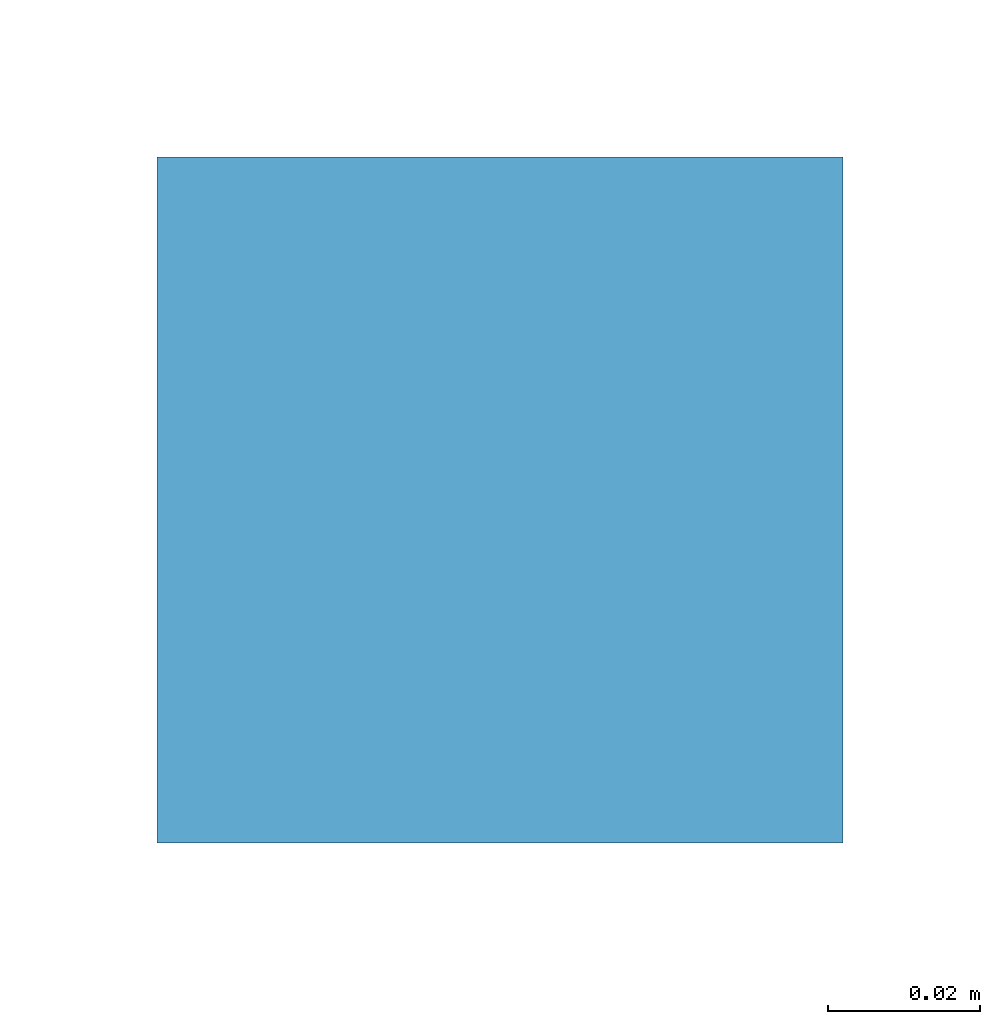
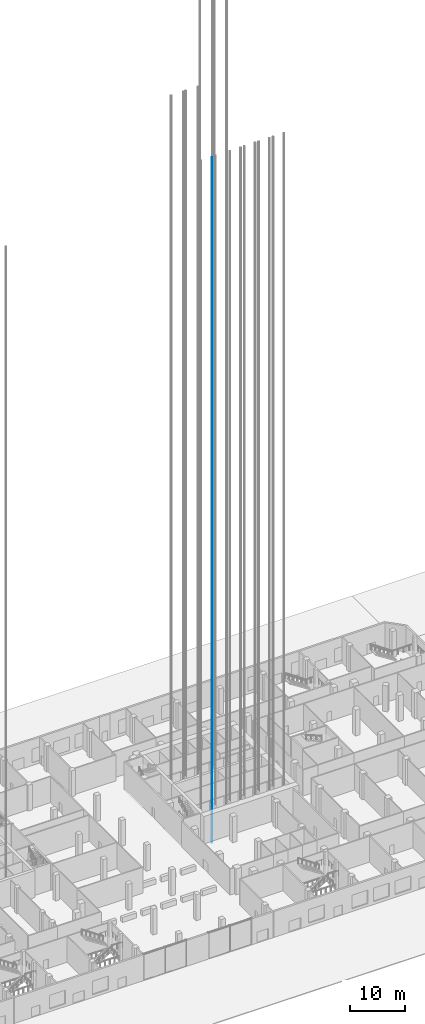
# One storey, part 13 of 55: 1 member.
"""IFC4 building model written with IfcOpenShell, lengths in metres."""

from ifc_helpers import new_model, si_unit, direction, frame, origin, origin_2d, place, context, subcontext, project, spatial, rectangle, extrude, material, material_profile, profile_set, type_object, element, save


model = new_model("IFC4")

# Units and contexts
model_context = context("Model", 3, precision=1e-05, world=origin(), true_north=direction((0.0, 1.0)))
body_context = subcontext(model_context, "Body", "Model", "MODEL_VIEW")
ifc_project = project(units=[si_unit("LENGTHUNIT", "METRE"), si_unit("AREAUNIT", "SQUARE_METRE"), si_unit("VOLUMEUNIT", "CUBIC_METRE"), si_unit("PLANEANGLEUNIT", "RADIAN"), si_unit("MASSUNIT", "GRAM", prefix="KILO")], contexts=[model_context])

# Site, building, storey
site_placement = place(None, origin())
site = spatial("IfcSite", under=ifc_project, at=site_placement, CompositionType="ELEMENT")
building_placement = place(site_placement, origin())
building = spatial("IfcBuilding", under=site, at=building_placement, Name="Cinnabar Reach Civic Tower", CompositionType="ELEMENT")
storey_placement = place(building_placement, origin())
storey = spatial("IfcBuildingStorey", under=building, at=storey_placement, Name="L00", CompositionType="ELEMENT", Elevation=0.0)

# Member
ifc_material = material(Name="Steel Q355B", Category="steel")
ifc_material_profile = material_profile(ifc_material, rectangle(XDim=0.09, YDim=0.09, at=origin_2d()), Name="T1 lift guide rail")
ifc_profile_set = profile_set([ifc_material_profile], Name="Steel Q355B")
member_type = type_object("IfcMemberType", Name="T1 lift guide rail", PredefinedType="USERDEFINED", material=ifc_profile_set)
member_placement = place(storey_placement, frame((7.13, 22.5, -2.5), z_axis=(0.0, 0.0, 1.0), x_axis=(1.0, 0.0, 0.0)))
element("IfcMember", 1, at=member_placement, inside=storey, type_object=member_type, Name="T1-LR1 guide rail 2", ObjectType="GUIDE RAIL", PredefinedType="USERDEFINED", context=body_context, shape_type="SweptSolid", body=[
    extrude(rectangle(XDim=0.09, YDim=0.09, at=origin_2d()), origin(), (0.0, 0.0, 1.0), 150.9),
])

save(model, "model.ifc")
